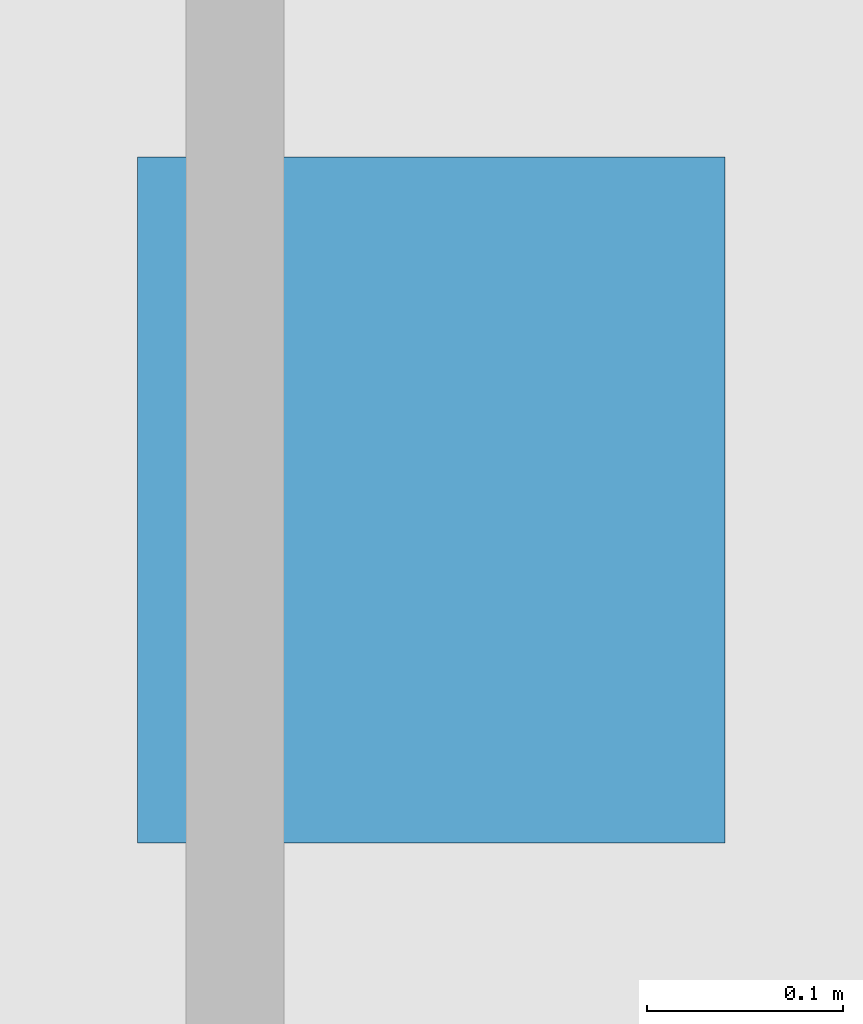
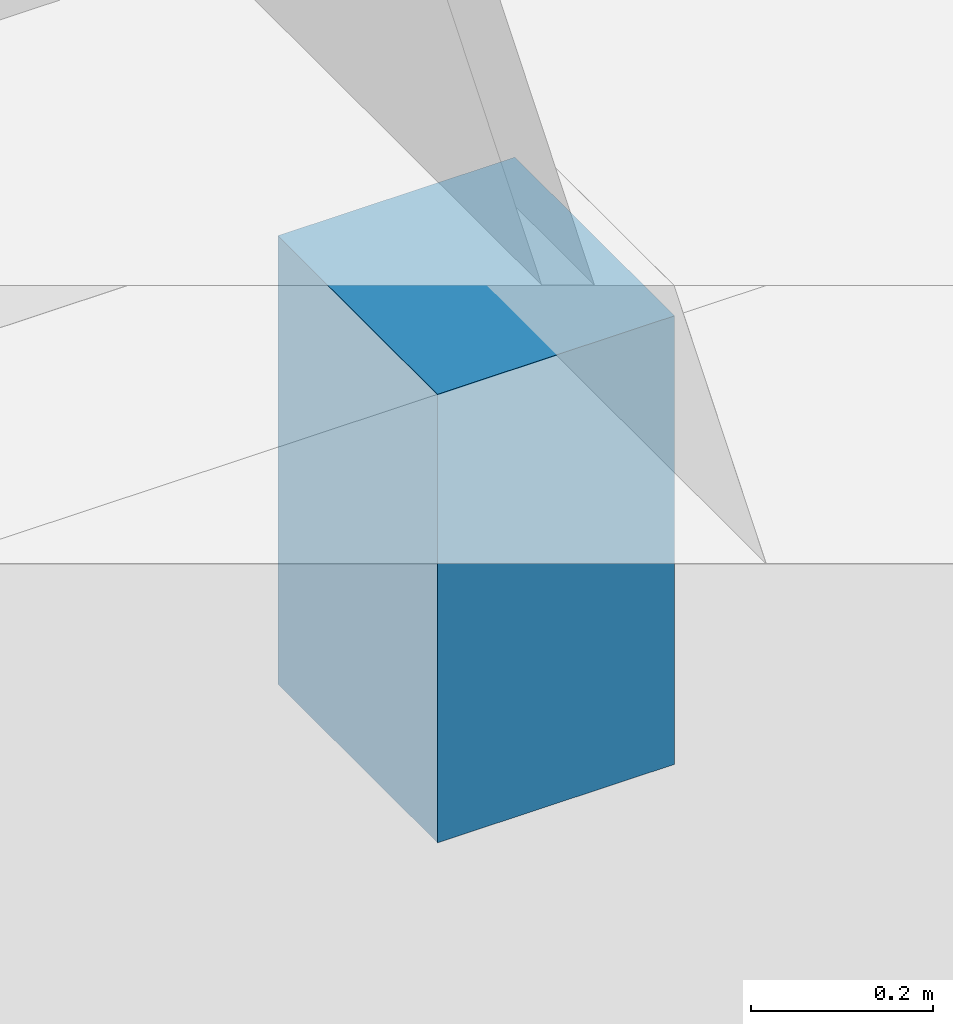
# One storey, part 17 of 37: 1 beam.
"""IFC4 building model written with IfcOpenShell, lengths in metres."""

from ifc_helpers import new_model, si_unit, direction, frame, origin, origin_2d, place, context, subcontext, project, spatial, rectangle, extrude, material, material_profile, profile_set, type_object, element, save


model = new_model("IFC4")

# Units and contexts
model_context = context("Model", 3, precision=1e-05, world=origin(), true_north=direction((0.0, 1.0)))
body_context = subcontext(model_context, "Body", "Model", "MODEL_VIEW")
ifc_project = project(units=[si_unit("LENGTHUNIT", "METRE"), si_unit("AREAUNIT", "SQUARE_METRE"), si_unit("VOLUMEUNIT", "CUBIC_METRE"), si_unit("PLANEANGLEUNIT", "RADIAN"), si_unit("MASSUNIT", "GRAM", prefix="KILO")], contexts=[model_context])

# Site, building, storey
site_placement = place(None, origin())
site = spatial("IfcSite", under=ifc_project, at=site_placement, CompositionType="ELEMENT")
building_placement = place(site_placement, origin())
building = spatial("IfcBuilding", under=site, at=building_placement, Name="Laocheng Heights Fire and Rescue Headquarters", CompositionType="ELEMENT")
storey_placement = place(building_placement, origin())
storey = spatial("IfcBuildingStorey", under=building, at=storey_placement, Name="L00", CompositionType="ELEMENT", Elevation=0.0)

# Beam
ifc_material = material(Name="Concrete C40", Category="concrete")
ifc_material_profile = material_profile(ifc_material, rectangle(XDim=0.300048828125, YDim=0.60009765625, at=origin_2d()), Name="RC GROUND BEAM 300x600")
ifc_profile_set = profile_set([ifc_material_profile], Name="Concrete C40")
beam_type = type_object("IfcBeamType", Name="RC GROUND BEAM 300x600", PredefinedType="BEAM", material=ifc_profile_set)
beam_placement = place(storey_placement, frame((126.0, 11.64990234375, -0.550048828125), z_axis=(0.0, 1.0, 0.0), x_axis=(-1.0, 0.0, 0.0)))
element("IfcBeam", 1, at=beam_placement, inside=storey, type_object=beam_type, Name="Ground beam GB71", PredefinedType="BEAM", context=body_context, shape_type="SweptSolid", body=[
    extrude(rectangle(XDim=0.300048828125, YDim=0.60009765625, at=origin_2d()), origin(), (0.0, 0.0, 1.0), 0.35009765625),
])

save(model, "model.ifc")
